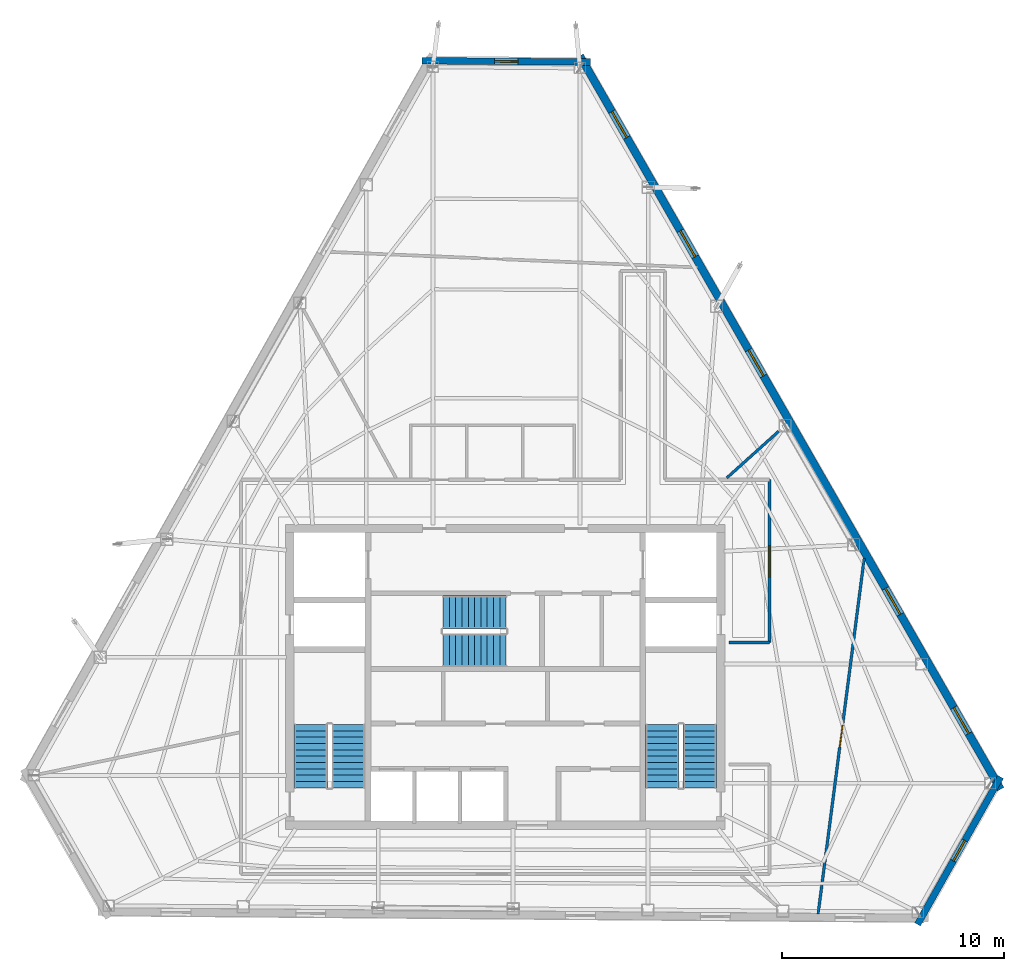
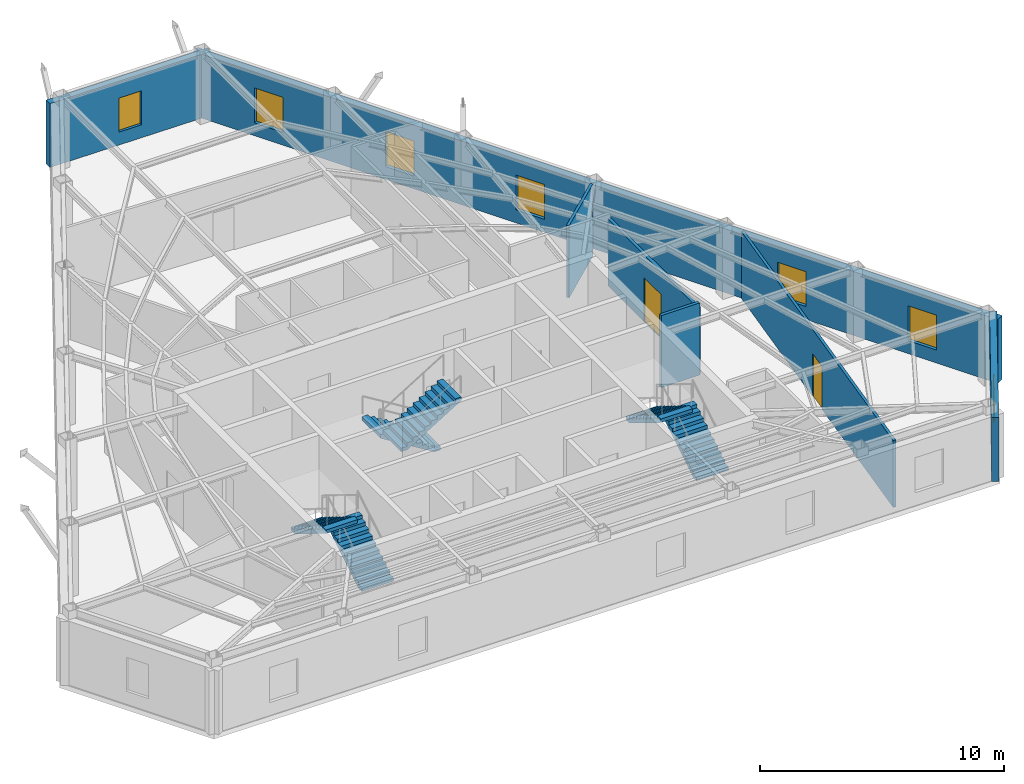
# One storey, part 9 of 10: 7 walls, 7 windows, 6 stair flights, 2 doors, 9 openings, 3 elements without a shape of their own.
"""IFC4 building model written with IfcOpenShell, lengths in metres."""

from ifc_helpers import new_model, si_unit, direction, frame, frame_2d, origin, place, context, subcontext, project, spatial, polyline, rectangle, outline, extrude, material, layer, layer_set, type_object, element, fill, aggregate, save


model = new_model("IFC4")

# Units and contexts
model_context = context("Model", 3, precision=1e-05, world=origin(), true_north=direction((0.0, 1.0)))
body_context = subcontext(model_context, "Body", "Model", "MODEL_VIEW")
ifc_project = project(units=[si_unit("LENGTHUNIT", "METRE"), si_unit("AREAUNIT", "SQUARE_METRE"), si_unit("VOLUMEUNIT", "CUBIC_METRE"), si_unit("PLANEANGLEUNIT", "RADIAN"), si_unit("MASSUNIT", "GRAM", prefix="KILO")], contexts=[model_context])

# Site, building, storey
site_placement = place(None, origin())
site = spatial("IfcSite", under=ifc_project, at=site_placement, CompositionType="ELEMENT")
building_placement = place(site_placement, origin())
building = spatial("IfcBuilding", under=site, at=building_placement, Name="Kavelnor Concourse Tower", CompositionType="ELEMENT")
storey_placement = place(building_placement, frame((0.0, 0.0, 243.35009765625)))
storey = spatial("IfcBuildingStorey", under=building, at=storey_placement, Name="L61", CompositionType="ELEMENT", Elevation=243.35009765625)

# Wall, opening, window
ifc_material_1 = material(Name="Buff ironspot clay face brick masonry", Category="masonry")
ifc_layer_1 = layer(ifc_material_1, 0.300048828125, Name="Buff ironspot clay face brick masonry")
ifc_layer_set_1 = layer_set([ifc_layer_1], Name="Buff ironspot clay face brick masonry")
wall_type_1 = type_object("IfcWallType", Name="WL-EXT-BUFF-BRICK-FOLD-300", PredefinedType="STANDARD", material=ifc_layer_set_1)
wall_1_placement = place(storey_placement, frame((34.252197265625, 43.87548828125, 0.0), z_axis=(0.0, 0.0, 1.0), x_axis=(0.999969452401, -0.007816282068, 0.0)))
wall_1 = element("IfcWall", 1, at=wall_1_placement, inside=storey, type_object=wall_type_1, Name="L61 Exterior Brick Facade Wall E0", PredefinedType="STANDARD", context=body_context, shape_type="SweptSolid", body=[
    extrude(rectangle(XDim=7.590087890625, YDim=0.300048828125, at=frame_2d((3.794921875, 0.0))), origin(), (0.0, 0.0, 1.0), 3.19580078125),
])
opening_1_placement = place(wall_1_placement, frame((3.27001953125, 0.0, 0.64990234375)))
opening_1 = element("IfcOpeningElement", 2, at=opening_1_placement, cuts=wall_1, Name="Opening W-06", PredefinedType="OPENING", context=body_context, shape_type="SweptSolid", body=[
    extrude(rectangle(XDim=1.050048828125, YDim=1.699951171875, at=frame_2d((0.52490234375, 0.85009765625))), frame((0.0, 0.16015625, 0.0), z_axis=(0.0, -1.0, 0.0), x_axis=(1.0, 0.0, 0.0)), (0.0, 0.0, 1.0), 0.320068359375),
])
ifc_material_2 = material(Name="Double low-E argon insulated glazing", Category="glass")
window_type_1 = type_object("IfcWindowType", Name="WIN-FOLD-1050", PartitioningType="SINGLE_PANEL", PredefinedType="WINDOW", material=ifc_material_2)
window_1_placement = place(opening_1_placement, origin())
window_1 = element("IfcWindow", 3, at=window_1_placement, inside=storey, type_object=window_type_1, Name="L61 Chamfer-Fold Facet Window C0", OverallHeight=1.699951171875, OverallWidth=1.050048828125, PartitioningType="SINGLE_PANEL", PredefinedType="WINDOW", context=body_context, shape_type="SweptSolid", body=[
    extrude(rectangle(XDim=1.050048828125, YDim=1.699951171875, at=frame_2d((0.52490234375, 0.85009765625))), frame((0.0, 0.030029296875, 0.0), z_axis=(0.0, -1.0, 0.0), x_axis=(1.0, 0.0, 0.0)), (0.0, 0.0, 1.0), 0.06005859375),
])
fill(opening_1, window_1)

wall_2_placement = place(storey_placement, frame((60.32568359375, 11.58740234375, 0.0), z_axis=(0.0, 0.0, 1.0), x_axis=(-0.490709559807, -0.871323205197, 0.0)))
wall_2 = element("IfcWall", 4, at=wall_2_placement, inside=storey, type_object=wall_type_1, Name="L61 Exterior Brick Facade Wall E4", PredefinedType="STANDARD", context=body_context, shape_type="SweptSolid", body=[
    extrude(rectangle(XDim=7.6259765625, YDim=0.300048828125, at=frame_2d((3.81298828125, 0.0))), origin(), (0.0, 0.0, 1.0), 3.19580078125),
])
opening_2_placement = place(wall_2_placement, frame((3.2880859375, 0.0, 0.64990234375)))
opening_2 = element("IfcOpeningElement", 5, at=opening_2_placement, cuts=wall_2, Name="Opening W-06", PredefinedType="OPENING", context=body_context, shape_type="SweptSolid", body=[
    extrude(rectangle(XDim=1.050048828125, YDim=1.699951171875, at=frame_2d((0.52490234375, 0.85009765625))), frame((0.0, 0.16015625, 0.0), z_axis=(0.0, -1.0, 0.0), x_axis=(1.0, 0.0, 0.0)), (0.0, 0.0, 1.0), 0.320068359375),
])
window_2_placement = place(opening_2_placement, origin())
window_2 = element("IfcWindow", 6, at=window_2_placement, inside=storey, type_object=window_type_1, Name="L61 Chamfer-Fold Facet Window C2", OverallHeight=1.699951171875, OverallWidth=1.050048828125, PartitioningType="SINGLE_PANEL", PredefinedType="WINDOW", context=body_context, shape_type="SweptSolid", body=[
    extrude(rectangle(XDim=1.050048828125, YDim=1.699951171875, at=frame_2d((0.52490234375, 0.85009765625))), frame((0.0, 0.030029296875, 0.0), z_axis=(0.0, -1.0, 0.0), x_axis=(1.0, 0.0, 0.0)), (0.0, 0.0, 1.0), 0.06005859375),
])
fill(opening_2, window_2)

# Wall, openings, windows
ifc_material_3 = material(Name="Red-ochre clay face brick masonry", Category="masonry")
ifc_layer_2 = layer(ifc_material_3, 0.35009765625, Name="Red-ochre clay face brick masonry")
ifc_layer_set_2 = layer_set([ifc_layer_2], Name="Red-ochre clay face brick masonry")
wall_type_2 = type_object("IfcWallType", Name="WL-EXT-RED-BRICK-PIER-350", PredefinedType="STANDARD", material=ifc_layer_set_2)
wall_3_placement = place(storey_placement, frame((41.362060546875, 44.0966796875, 0.0), z_axis=(0.0, 0.0, 1.0), x_axis=(0.497556414716, -0.867431619308, 0.0)))
wall_3 = element("IfcWall", 7, at=wall_3_placement, inside=storey, type_object=wall_type_2, Name="L61 Exterior Brick Facade Wall E5", PredefinedType="STANDARD", context=body_context, shape_type="SweptSolid", body=[
    extrude(rectangle(XDim=38.117919921875, YDim=0.35009765625, at=frame_2d((19.05908203125, 0.0))), origin(), (0.0, 0.0, 1.0), 3.19580078125),
])
opening_3_placement = place(wall_3_placement, frame((33.872802734375, 0.0, 0.64990234375)))
opening_3 = element("IfcOpeningElement", 8, at=opening_3_placement, cuts=wall_3, Name="Opening W-04", PredefinedType="OPENING", context=body_context, shape_type="SweptSolid", body=[
    extrude(rectangle(XDim=1.35009765625, YDim=1.75, at=frame_2d((0.675048828125, 0.875))), frame((0.0, 0.18505859375, 0.0), z_axis=(0.0, -1.0, 0.0), x_axis=(1.0, 0.0, 0.0)), (0.0, 0.0, 1.0), 0.3701171875),
])
opening_4_placement = place(wall_3_placement, frame((27.677734375, 0.0, 0.64990234375)))
opening_4 = element("IfcOpeningElement", 9, at=opening_4_placement, cuts=wall_3, Name="Opening W-04", PredefinedType="OPENING", context=body_context, shape_type="SweptSolid", body=[
    extrude(rectangle(XDim=1.35009765625, YDim=1.75, at=frame_2d((0.675048828125, 0.875))), frame((0.0, 0.18505859375, 0.0), z_axis=(0.0, -1.0, 0.0), x_axis=(1.0, 0.0, 0.0)), (0.0, 0.0, 1.0), 0.3701171875),
])
opening_5_placement = place(wall_3_placement, frame((15.287841796875, 0.0, 0.64990234375)))
opening_5 = element("IfcOpeningElement", 10, at=opening_5_placement, cuts=wall_3, Name="Opening W-04", PredefinedType="OPENING", context=body_context, shape_type="SweptSolid", body=[
    extrude(rectangle(XDim=1.35009765625, YDim=1.75, at=frame_2d((0.675048828125, 0.875))), frame((0.0, 0.18505859375, 0.0), z_axis=(0.0, -1.0, 0.0), x_axis=(1.0, 0.0, 0.0)), (0.0, 0.0, 1.0), 0.3701171875),
])
opening_6_placement = place(wall_3_placement, frame((9.093017578125, 0.0, 0.64990234375)))
opening_6 = element("IfcOpeningElement", 11, at=opening_6_placement, cuts=wall_3, Name="Opening W-04", PredefinedType="OPENING", context=body_context, shape_type="SweptSolid", body=[
    extrude(rectangle(XDim=1.35009765625, YDim=1.75, at=frame_2d((0.675048828125, 0.875))), frame((0.0, 0.18505859375, 0.0), z_axis=(0.0, -1.0, 0.0), x_axis=(1.0, 0.0, 0.0)), (0.0, 0.0, 1.0), 0.3701171875),
])
opening_7_placement = place(wall_3_placement, frame((2.89794921875, 0.0, 0.64990234375)))
opening_7 = element("IfcOpeningElement", 12, at=opening_7_placement, cuts=wall_3, Name="Opening W-04", PredefinedType="OPENING", context=body_context, shape_type="SweptSolid", body=[
    extrude(rectangle(XDim=1.35009765625, YDim=1.75, at=frame_2d((0.675048828125, 0.875))), frame((0.0, 0.18505859375, 0.0), z_axis=(0.0, -1.0, 0.0), x_axis=(1.0, 0.0, 0.0)), (0.0, 0.0, 1.0), 0.3701171875),
])
window_type_2 = type_object("IfcWindowType", Name="WIN-PIER-Z4-1350", PartitioningType="SINGLE_PANEL", PredefinedType="WINDOW", material=ifc_material_2)
window_3_placement = place(opening_3_placement, origin())
window_3 = element("IfcWindow", 13, at=window_3_placement, inside=storey, type_object=window_type_2, Name="L61 Deep-Set Brick Pier Window F2-B0", OverallHeight=1.75, OverallWidth=1.35009765625, PartitioningType="SINGLE_PANEL", PredefinedType="WINDOW", context=body_context, shape_type="SweptSolid", body=[
    extrude(rectangle(XDim=1.35009765625, YDim=1.75, at=frame_2d((0.675048828125, 0.875))), frame((0.0, 0.030029296875, 0.0), z_axis=(0.0, -1.0, 0.0), x_axis=(1.0, 0.0, 0.0)), (0.0, 0.0, 1.0), 0.06005859375),
])
fill(opening_3, window_3)
window_4_placement = place(opening_4_placement, origin())
window_4 = element("IfcWindow", 14, at=window_4_placement, inside=storey, type_object=window_type_2, Name="L61 Deep-Set Brick Pier Window F2-B1", OverallHeight=1.75, OverallWidth=1.35009765625, PartitioningType="SINGLE_PANEL", PredefinedType="WINDOW", context=body_context, shape_type="SweptSolid", body=[
    extrude(rectangle(XDim=1.35009765625, YDim=1.75, at=frame_2d((0.675048828125, 0.875))), frame((0.0, 0.030029296875, 0.0), z_axis=(0.0, -1.0, 0.0), x_axis=(1.0, 0.0, 0.0)), (0.0, 0.0, 1.0), 0.06005859375),
])
fill(opening_4, window_4)
window_5_placement = place(opening_5_placement, origin())
window_5 = element("IfcWindow", 15, at=window_5_placement, inside=storey, type_object=window_type_2, Name="L61 Deep-Set Brick Pier Window F2-B3", OverallHeight=1.75, OverallWidth=1.35009765625, PartitioningType="SINGLE_PANEL", PredefinedType="WINDOW", context=body_context, shape_type="SweptSolid", body=[
    extrude(rectangle(XDim=1.35009765625, YDim=1.75, at=frame_2d((0.675048828125, 0.875))), frame((0.0, 0.030029296875, 0.0), z_axis=(0.0, -1.0, 0.0), x_axis=(1.0, 0.0, 0.0)), (0.0, 0.0, 1.0), 0.06005859375),
])
fill(opening_5, window_5)
window_6_placement = place(opening_6_placement, origin())
window_6 = element("IfcWindow", 16, at=window_6_placement, inside=storey, type_object=window_type_2, Name="L61 Deep-Set Brick Pier Window F2-B4", OverallHeight=1.75, OverallWidth=1.35009765625, PartitioningType="SINGLE_PANEL", PredefinedType="WINDOW", context=body_context, shape_type="SweptSolid", body=[
    extrude(rectangle(XDim=1.35009765625, YDim=1.75, at=frame_2d((0.675048828125, 0.875))), frame((0.0, 0.030029296875, 0.0), z_axis=(0.0, -1.0, 0.0), x_axis=(1.0, 0.0, 0.0)), (0.0, 0.0, 1.0), 0.06005859375),
])
fill(opening_6, window_6)
window_7_placement = place(opening_7_placement, origin())
window_7 = element("IfcWindow", 17, at=window_7_placement, inside=storey, type_object=window_type_2, Name="L61 Deep-Set Brick Pier Window F2-B5", OverallHeight=1.75, OverallWidth=1.35009765625, PartitioningType="SINGLE_PANEL", PredefinedType="WINDOW", context=body_context, shape_type="SweptSolid", body=[
    extrude(rectangle(XDim=1.35009765625, YDim=1.75, at=frame_2d((0.675048828125, 0.875))), frame((0.0, 0.030029296875, 0.0), z_axis=(0.0, -1.0, 0.0), x_axis=(1.0, 0.0, 0.0)), (0.0, 0.0, 1.0), 0.06005859375),
])
fill(opening_7, window_7)

# Wall, opening, door
ifc_material_4 = material(Name="Gypsum plasterboard on light-gauge steel studs", Category="steel")
ifc_layer_3 = layer(ifc_material_4, 0.14501953125, Name="Gypsum plasterboard on light-gauge steel studs")
ifc_layer_set_3 = layer_set([ifc_layer_3], Name="Gypsum plasterboard on light-gauge steel studs")
wall_type_3 = type_object("IfcWallType", Name="WL-INT-CORR-145", PredefinedType="PARTITIONING", material=ifc_layer_set_3)
wall_4_placement = place(storey_placement, frame((49.909912109375, 24.989990234375, 0.0), z_axis=(0.0, 0.0, 1.0), x_axis=(0.0, -1.0, 0.0)))
wall_4 = element("IfcWall", 18, at=wall_4_placement, inside=storey, type_object=wall_type_3, Name="L61 Corridor Wall WL-L61-CR-05", PredefinedType="PARTITIONING", context=body_context, shape_type="SweptSolid", body=[
    extrude(rectangle(XDim=7.340087890625, YDim=0.14501953125, at=frame_2d((3.669921875, 0.0))), origin(), (0.0, 0.0, 1.0), 3.348876953125),
])
opening_8_placement = place(wall_4_placement, frame((2.969970703125, 0.0, 0.0)))
opening_8 = element("IfcOpeningElement", 19, at=opening_8_placement, cuts=wall_4, Name="Opening SD-140", PredefinedType="OPENING", context=body_context, shape_type="SweptSolid", body=[
    extrude(rectangle(XDim=1.39990234375, YDim=2.199951171875, at=frame_2d((0.699951171875, 1.10009765625))), frame((0.0, 0.08251953125, 0.0), z_axis=(0.0, -1.0, 0.0), x_axis=(1.0, 0.0, 0.0)), (0.0, 0.0, 1.0), 0.1650390625),
])
ifc_material_5 = material(Name="Solid-core hardwood timber", Category="wood")
door_type_1 = type_object("IfcDoorType", Name="DR-SUITE-ENTRY-1400", OperationType="NOTDEFINED", PredefinedType="DOOR", material=ifc_material_5)
door_1_placement = place(opening_8_placement, origin())
door_1 = element("IfcDoor", 20, at=door_1_placement, inside=storey, type_object=door_type_1, Name="L61 Executive Dining Room 05 Door", OperationType="SINGLE_SWING_LEFT", OverallHeight=2.199951171875, OverallWidth=1.39990234375, PredefinedType="DOOR", context=body_context, shape_type="SweptSolid", body=[
    extrude(rectangle(XDim=1.39990234375, YDim=2.199951171875, at=frame_2d((0.699951171875, 1.10009765625))), frame((0.0, 0.02490234375, 0.0), z_axis=(0.0, -1.0, 0.0), x_axis=(1.0, 0.0, 0.0)), (0.0, 0.0, 1.0), 0.050048828125),
])
fill(opening_8, door_1)

# Walls
wall_5_placement = place(storey_placement, frame((49.909912109375, 17.64990234375, 0.0), z_axis=(0.0, 0.0, 1.0), x_axis=(-1.0, 0.0, 0.0)))
element("IfcWall", 21, at=wall_5_placement, inside=storey, type_object=wall_type_3, Name="L61 Corridor Wall WL-L61-CR-06", PredefinedType="PARTITIONING", context=body_context, shape_type="SweptSolid", body=[
    extrude(rectangle(XDim=1.81982421875, YDim=0.14501953125, at=frame_2d((0.909912109375, 0.0))), origin(), (0.0, 0.0, 1.0), 3.60986328125),
])
ifc_layer_4 = layer(ifc_material_4, 0.125, Name="Gypsum plasterboard on light-gauge steel studs")
ifc_layer_set_4 = layer_set([ifc_layer_4], Name="Gypsum plasterboard on light-gauge steel studs")
wall_type_4 = type_object("IfcWallType", Name="WL-INT-SUITE-125", PredefinedType="PARTITIONING", material=ifc_layer_set_4)
wall_6_placement = place(storey_placement, frame((47.986083984375, 25.070556640625, 0.0), z_axis=(0.0, 0.0, 1.0), x_axis=(0.743935182086, 0.66825178253, 0.0)))
element("IfcWall", 22, at=wall_6_placement, inside=storey, type_object=wall_type_4, Name="L61 Radial Suite Partition 01", PredefinedType="PARTITIONING", context=body_context, shape_type="SweptSolid", body=[
    extrude(rectangle(XDim=3.141845703125, YDim=0.125, at=frame_2d((1.57080078125, 0.0))), origin(), (0.0, 0.0, 1.0), 3.60986328125),
])

# Wall, opening, door
wall_7_placement = place(storey_placement, frame((52.099853515625, 5.4111328125, 0.0), z_axis=(0.0, 0.0, 1.0), x_axis=(0.128602141962, 0.991696268564, 0.0)))
wall_7 = element("IfcWall", 23, at=wall_7_placement, inside=storey, type_object=wall_type_4, Name="L61 Suite Subdivision Partition 04", PredefinedType="PARTITIONING", context=body_context, shape_type="SweptSolid", body=[
    extrude(rectangle(XDim=16.172607421875, YDim=0.125, at=frame_2d((8.08642578125, 0.0))), origin(), (0.0, 0.0, 1.0), 3.348876953125),
])
opening_9_placement = place(wall_7_placement, frame((7.59619140625, 0.0, 0.0)))
opening_9 = element("IfcOpeningElement", 24, at=opening_9_placement, cuts=wall_7, Name="Opening OD-098", PredefinedType="OPENING", context=body_context, shape_type="SweptSolid", body=[
    extrude(rectangle(XDim=0.97998046875, YDim=2.14990234375, at=frame_2d((0.489990234375, 1.074951171875))), frame((0.0, 0.072509765625, 0.0), z_axis=(0.0, -1.0, 0.0), x_axis=(1.0, 0.0, 0.0)), (0.0, 0.0, 1.0), 0.14501953125),
])
door_type_2 = type_object("IfcDoorType", Name="DR-OFFICE-980", OperationType="NOTDEFINED", PredefinedType="DOOR", material=ifc_material_5)
door_2_placement = place(opening_9_placement, origin())
door_2 = element("IfcDoor", 25, at=door_2_placement, inside=storey, type_object=door_type_2, Name="L61 Executive Dining Room 06 Door", OperationType="SINGLE_SWING_RIGHT", OverallHeight=2.14990234375, OverallWidth=0.97998046875, PredefinedType="DOOR", context=body_context, shape_type="SweptSolid", body=[
    extrude(rectangle(XDim=0.97998046875, YDim=2.14990234375, at=frame_2d((0.489990234375, 1.074951171875))), frame((0.0, 0.02490234375, 0.0), z_axis=(0.0, -1.0, 0.0), x_axis=(1.0, 0.0, 0.0)), (0.0, 0.0, 1.0), 0.050048828125),
])
fill(opening_9, door_2)

# Stair, stair flights
ifc_material_6 = material(Name="Concrete C40/50", Category="concrete")
stair_type = type_object("IfcStairType", Name="STR-CORE-1500", PredefinedType="HALF_TURN_STAIR", material=ifc_material_6)
stair_1_placement = place(storey_placement, origin())
stair_1 = element("IfcStair", 26, at=stair_1_placement, inside=storey, type_object=stair_type, Name="L61 ST1", PredefinedType="HALF_TURN_STAIR")
stair_flight_type = type_object("IfcStairFlightType", Name="STR-FLIGHT-1500", PredefinedType="STRAIGHT", material=ifc_material_6)
stair_flight_1_placement = place(storey_placement, frame((30.929931640625, 11.10009765625, 0.0), z_axis=(0.0, 0.0, 1.0), x_axis=(0.0, 1.0, 0.0)))
stair_flight_1 = element("IfcStairFlight", 27, at=stair_flight_1_placement, type_object=stair_flight_type, Name="ST1 flight 1", NumberOfRisers=11, NumberOfTreads=10, PredefinedType="STRAIGHT", RiserHeight=0.175, TreadLength=0.285, context=body_context, shape_type="SweptSolid", body=[
    extrude(outline(polyline([(0.0, 0.0), (0.0, 0.175048828125), (0.284912109375, 0.175048828125), (0.284912109375, 0.35009765625), (0.570068359375, 0.35009765625), (0.570068359375, 0.52490234375), (0.85498046875, 0.52490234375), (0.85498046875, 0.699951171875), (1.139892578125, 0.699951171875), (1.139892578125, 0.875), (1.425048828125, 0.875), (1.425048828125, 1.050048828125), (1.7099609375, 1.050048828125), (1.7099609375, 1.22509765625), (1.9951171875, 1.22509765625), (1.9951171875, 1.39990234375), (2.280029296875, 1.39990234375), (2.280029296875, 1.574951171875), (2.56494140625, 1.574951171875), (2.56494140625, 1.75), (2.85009765625, 1.75), (2.85009765625, 1.925048828125), (2.85009765625, 1.573974609375), (0.286376953125, 0.0), (0.0, 0.0)])), frame((0.0, 0.75, 0.0), z_axis=(0.0, -1.0, 0.0), x_axis=(1.0, 0.0, 0.0)), (0.0, 0.0, 1.0), 1.5),
])
stair_flight_2_placement = place(storey_placement, frame((29.22998046875, 13.949951171875, 1.9248046875), z_axis=(0.0, 0.0, 1.0), x_axis=(0.0, -1.0, 0.0)))
stair_flight_2 = element("IfcStairFlight", 28, at=stair_flight_2_placement, type_object=stair_flight_type, Name="ST1 flight 2", NumberOfRisers=11, NumberOfTreads=10, PredefinedType="STRAIGHT", RiserHeight=0.175, TreadLength=0.285, context=body_context, shape_type="SweptSolid", body=[
    extrude(outline(polyline([(0.0, 0.0), (0.0, 0.175048828125), (0.284912109375, 0.175048828125), (0.284912109375, 0.35009765625), (0.570068359375, 0.35009765625), (0.570068359375, 0.52490234375), (0.85498046875, 0.52490234375), (0.85498046875, 0.699951171875), (1.139892578125, 0.699951171875), (1.139892578125, 0.875), (1.425048828125, 0.875), (1.425048828125, 1.050048828125), (1.7099609375, 1.050048828125), (1.7099609375, 1.22509765625), (1.9951171875, 1.22509765625), (1.9951171875, 1.39990234375), (2.280029296875, 1.39990234375), (2.280029296875, 1.574951171875), (2.56494140625, 1.574951171875), (2.56494140625, 1.75), (2.85009765625, 1.75), (2.85009765625, 1.925048828125), (2.85009765625, 1.573974609375), (0.286376953125, 0.0), (0.0, 0.0)])), frame((0.0, 0.75, 0.0), z_axis=(0.0, -1.0, 0.0), x_axis=(1.0, 0.0, 0.0)), (0.0, 0.0, 1.0), 1.5),
])
aggregate(stair_1, [stair_flight_1, stair_flight_2])

stair_2_placement = place(storey_placement, origin())
stair_2 = element("IfcStair", 29, at=stair_2_placement, inside=storey, type_object=stair_type, Name="L61 ST2", PredefinedType="HALF_TURN_STAIR")
stair_flight_3_placement = place(storey_placement, frame((46.77001953125, 11.10009765625, 0.0), z_axis=(0.0, 0.0, 1.0), x_axis=(0.0, 1.0, 0.0)))
stair_flight_3 = element("IfcStairFlight", 30, at=stair_flight_3_placement, type_object=stair_flight_type, Name="ST2 flight 1", NumberOfRisers=11, NumberOfTreads=10, PredefinedType="STRAIGHT", RiserHeight=0.175, TreadLength=0.285, context=body_context, shape_type="SweptSolid", body=[
    extrude(outline(polyline([(0.0, 0.0), (0.0, 0.175048828125), (0.284912109375, 0.175048828125), (0.284912109375, 0.35009765625), (0.570068359375, 0.35009765625), (0.570068359375, 0.52490234375), (0.85498046875, 0.52490234375), (0.85498046875, 0.699951171875), (1.139892578125, 0.699951171875), (1.139892578125, 0.875), (1.425048828125, 0.875), (1.425048828125, 1.050048828125), (1.7099609375, 1.050048828125), (1.7099609375, 1.22509765625), (1.9951171875, 1.22509765625), (1.9951171875, 1.39990234375), (2.280029296875, 1.39990234375), (2.280029296875, 1.574951171875), (2.56494140625, 1.574951171875), (2.56494140625, 1.75), (2.85009765625, 1.75), (2.85009765625, 1.925048828125), (2.85009765625, 1.573974609375), (0.286376953125, 0.0), (0.0, 0.0)])), frame((0.0, 0.75, 0.0), z_axis=(0.0, -1.0, 0.0), x_axis=(1.0, 0.0, 0.0)), (0.0, 0.0, 1.0), 1.5),
])
stair_flight_4_placement = place(storey_placement, frame((45.070068359375, 13.949951171875, 1.9248046875), z_axis=(0.0, 0.0, 1.0), x_axis=(0.0, -1.0, 0.0)))
stair_flight_4 = element("IfcStairFlight", 31, at=stair_flight_4_placement, type_object=stair_flight_type, Name="ST2 flight 2", NumberOfRisers=11, NumberOfTreads=10, PredefinedType="STRAIGHT", RiserHeight=0.175, TreadLength=0.285, context=body_context, shape_type="SweptSolid", body=[
    extrude(outline(polyline([(0.0, 0.0), (0.0, 0.175048828125), (0.284912109375, 0.175048828125), (0.284912109375, 0.35009765625), (0.570068359375, 0.35009765625), (0.570068359375, 0.52490234375), (0.85498046875, 0.52490234375), (0.85498046875, 0.699951171875), (1.139892578125, 0.699951171875), (1.139892578125, 0.875), (1.425048828125, 0.875), (1.425048828125, 1.050048828125), (1.7099609375, 1.050048828125), (1.7099609375, 1.22509765625), (1.9951171875, 1.22509765625), (1.9951171875, 1.39990234375), (2.280029296875, 1.39990234375), (2.280029296875, 1.574951171875), (2.56494140625, 1.574951171875), (2.56494140625, 1.75), (2.85009765625, 1.75), (2.85009765625, 1.925048828125), (2.85009765625, 1.573974609375), (0.286376953125, 0.0), (0.0, 0.0)])), frame((0.0, 0.75, 0.0), z_axis=(0.0, -1.0, 0.0), x_axis=(1.0, 0.0, 0.0)), (0.0, 0.0, 1.0), 1.5),
])
aggregate(stair_2, [stair_flight_3, stair_flight_4])

stair_3_placement = place(storey_placement, origin())
stair_3 = element("IfcStair", 32, at=stair_3_placement, inside=storey, type_object=stair_type, Name="L61 ST3", PredefinedType="HALF_TURN_STAIR")
stair_flight_5_placement = place(storey_placement, frame((38.0400390625, 19.010009765625, 0.0), z_axis=(0.0, 0.0, 1.0), x_axis=(-1.0, 0.0, 0.0)))
stair_flight_5 = element("IfcStairFlight", 33, at=stair_flight_5_placement, type_object=stair_flight_type, Name="ST3 flight 1", NumberOfRisers=11, NumberOfTreads=10, PredefinedType="STRAIGHT", RiserHeight=0.175, TreadLength=0.285, context=body_context, shape_type="SweptSolid", body=[
    extrude(outline(polyline([(0.0, 0.0), (0.0, 0.175048828125), (0.284912109375, 0.175048828125), (0.284912109375, 0.35009765625), (0.570068359375, 0.35009765625), (0.570068359375, 0.52490234375), (0.85498046875, 0.52490234375), (0.85498046875, 0.699951171875), (1.139892578125, 0.699951171875), (1.139892578125, 0.875), (1.425048828125, 0.875), (1.425048828125, 1.050048828125), (1.7099609375, 1.050048828125), (1.7099609375, 1.22509765625), (1.9951171875, 1.22509765625), (1.9951171875, 1.39990234375), (2.280029296875, 1.39990234375), (2.280029296875, 1.574951171875), (2.56494140625, 1.574951171875), (2.56494140625, 1.75), (2.85009765625, 1.75), (2.85009765625, 1.925048828125), (2.85009765625, 1.573974609375), (0.286376953125, 0.0), (0.0, 0.0)])), frame((0.0, 0.75, 0.0), z_axis=(0.0, -1.0, 0.0), x_axis=(1.0, 0.0, 0.0)), (0.0, 0.0, 1.0), 1.5),
])
stair_flight_6_placement = place(storey_placement, frame((35.18994140625, 17.31005859375, 1.9248046875), z_axis=(0.0, 0.0, 1.0), x_axis=(1.0, 0.0, 0.0)))
stair_flight_6 = element("IfcStairFlight", 34, at=stair_flight_6_placement, type_object=stair_flight_type, Name="ST3 flight 2", NumberOfRisers=11, NumberOfTreads=10, PredefinedType="STRAIGHT", RiserHeight=0.175, TreadLength=0.285, context=body_context, shape_type="SweptSolid", body=[
    extrude(outline(polyline([(0.0, 0.0), (0.0, 0.175048828125), (0.284912109375, 0.175048828125), (0.284912109375, 0.35009765625), (0.570068359375, 0.35009765625), (0.570068359375, 0.52490234375), (0.85498046875, 0.52490234375), (0.85498046875, 0.699951171875), (1.139892578125, 0.699951171875), (1.139892578125, 0.875), (1.425048828125, 0.875), (1.425048828125, 1.050048828125), (1.7099609375, 1.050048828125), (1.7099609375, 1.22509765625), (1.9951171875, 1.22509765625), (1.9951171875, 1.39990234375), (2.280029296875, 1.39990234375), (2.280029296875, 1.574951171875), (2.56494140625, 1.574951171875), (2.56494140625, 1.75), (2.85009765625, 1.75), (2.85009765625, 1.925048828125), (2.85009765625, 1.573974609375), (0.286376953125, 0.0), (0.0, 0.0)])), frame((0.0, 0.75, 0.0), z_axis=(0.0, -1.0, 0.0), x_axis=(1.0, 0.0, 0.0)), (0.0, 0.0, 1.0), 1.5),
])
aggregate(stair_3, [stair_flight_5, stair_flight_6])

save(model, "model.ifc")
